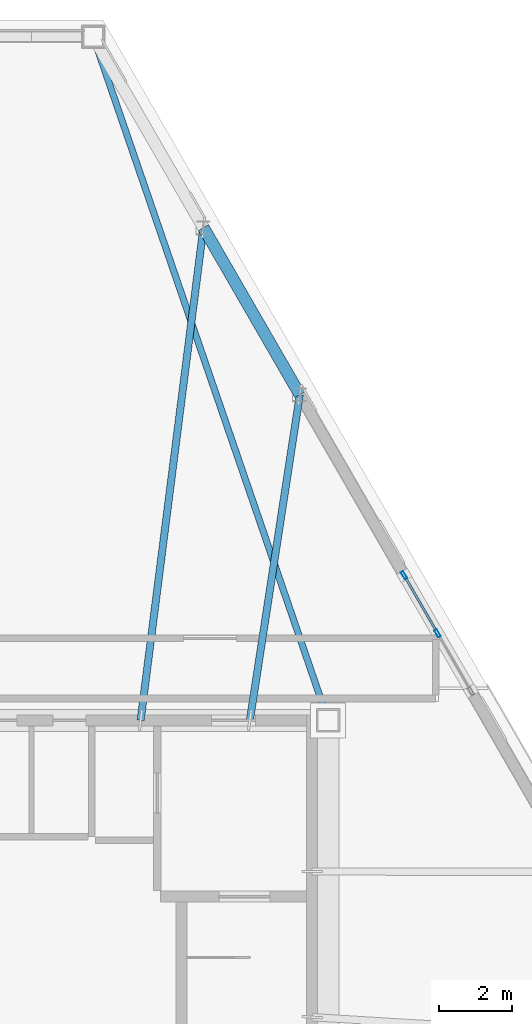
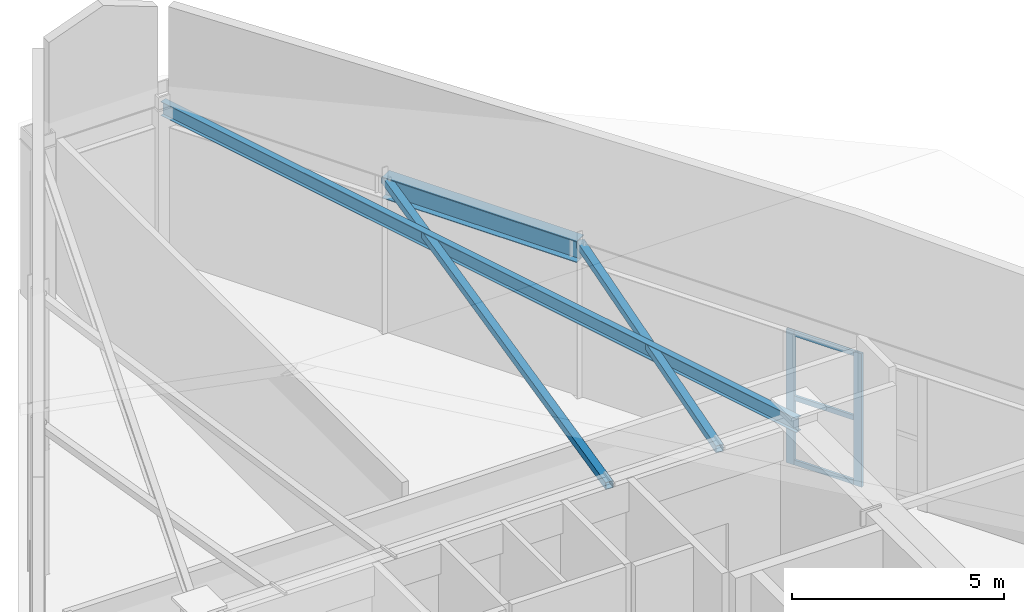
# One storey, part 6 of 11: 7 members, 2 beams, 1 element without a shape of its own.
"""IFC4 building model written with IfcOpenShell, lengths in metres."""

from ifc_helpers import new_model, si_unit, direction, frame, origin, origin_2d, place, context, subcontext, project, spatial, hollow_rectangle, i_section, extrude, material, layer, layer_set, material_profile, profile_set, type_object, element, aggregate, save


model = new_model("IFC4")

# Units and contexts
model_context = context("Model", 3, precision=1e-05, world=origin(), true_north=direction((0.0, 1.0)))
body_context = subcontext(model_context, "Body", "Model", "MODEL_VIEW")
ifc_project = project(units=[si_unit("LENGTHUNIT", "METRE"), si_unit("AREAUNIT", "SQUARE_METRE"), si_unit("VOLUMEUNIT", "CUBIC_METRE"), si_unit("PLANEANGLEUNIT", "RADIAN"), si_unit("MASSUNIT", "GRAM", prefix="KILO")], contexts=[model_context])

# Site, building, storey
site_placement = place(None, origin())
site = spatial("IfcSite", under=ifc_project, at=site_placement, CompositionType="ELEMENT")
building_placement = place(site_placement, origin())
building = spatial("IfcBuilding", under=site, at=building_placement, Name="Oramaril Tower", CompositionType="ELEMENT")
storey_placement = place(building_placement, frame((0.0, 0.0, 318.89990234375)))
storey = spatial("IfcBuildingStorey", under=building, at=storey_placement, Name="L83", CompositionType="ELEMENT", Elevation=318.89990234375)

# Beams
ifc_material_1 = material(Name="Steel ASTM A572 Gr 50", Category="steel")
ifc_material_profile_1 = material_profile(ifc_material_1, i_section(OverallWidth=0.177978515625, OverallDepth=0.404052734375, WebThickness=0.007568359375, FlangeThickness=0.010986328125, at=origin_2d()), Name="W16X36")
ifc_profile_set_1 = profile_set([ifc_material_profile_1], Name="Steel ASTM A572 Gr 50")
beam_type_1 = type_object("IfcBeamType", Name="BT-SB1", PredefinedType="BEAM", material=ifc_profile_set_1)
beam_1_placement = place(storey_placement, frame((45.64990234375, 24.14990234375, 4.258056640625), z_axis=(-0.325044703375, 0.945698652218, 0.0), x_axis=(-0.945698652218, -0.325044703375, 0.0)))
element("IfcBeam", 1, at=beam_1_placement, inside=storey, type_object=beam_type_1, Name="L83 Radial Primary Beam RB-05", PredefinedType="BEAM", context=body_context, shape_type="SweptSolid", body=[
    extrude(i_section(OverallWidth=0.177978515625, OverallDepth=0.404052734375, WebThickness=0.007568359375, FlangeThickness=0.010986328125, at=origin_2d()), origin(), (0.0, 0.0, 1.0), 19.847900390625),
])
ifc_material_2 = material(Name="Steel ASTM A572 Gr 50", Category="steel")
ifc_material_profile_2 = material_profile(ifc_material_2, i_section(OverallWidth=0.324951171875, OverallDepth=0.612060546875, WebThickness=0.0126953125, FlangeThickness=0.01904296875, at=origin_2d()), Name="W24X104")
ifc_profile_set_2 = profile_set([ifc_material_profile_2], Name="Steel ASTM A572 Gr 50")
beam_type_2 = type_object("IfcBeamType", Name="BT-SP5", PredefinedType="SPANDREL", material=ifc_profile_set_2)
beam_2_placement = place(storey_placement, frame((44.87255859375, 33.09228515625, 4.154052734375), z_axis=(-0.499996467947, 0.866027443007, 0.0), x_axis=(-0.866027443007, -0.499996467947, 0.0)))
element("IfcBeam", 2, at=beam_2_placement, inside=storey, type_object=beam_type_2, Name="L83 Perimeter Spandrel 11", PredefinedType="SPANDREL", context=body_context, shape_type="SweptSolid", body=[
    extrude(i_section(OverallWidth=0.324951171875, OverallDepth=0.612060546875, WebThickness=0.0126953125, FlangeThickness=0.01904296875, at=origin_2d()), origin(), (0.0, 0.0, 1.0), 5.2958984375),
])

# Curtain wall, members
ifc_material_3 = material(Name="Anodised Aluminium 6063-T6", Category="aluminium")
ifc_layer = layer(ifc_material_3, 0.219970703125)
ifc_layer_set = layer_set([ifc_layer], Name="CWT-SYS6")
curtain_wall_type = type_object("IfcCurtainWallType", Name="CWT-SYS6", PredefinedType="NOTDEFINED", material=ifc_layer_set)
curtain_wall_placement = place(storey_placement, origin())
curtain_wall = element("IfcCurtainWall", 3, at=curtain_wall_placement, inside=storey, type_object=curtain_wall_type, Name="L83 Unitised Curtain Wall CW-6", PredefinedType="NOTDEFINED")
ifc_material_4 = material(Name="Anodised Aluminium 6063-T6", Category="aluminium")
ifc_material_profile_3 = material_profile(ifc_material_4, hollow_rectangle(XDim=0.080078125, YDim=0.219970703125, WallThickness=0.00390625, at=origin_2d()), Name="CWM220X80")
ifc_profile_set_3 = profile_set([ifc_material_profile_3], Name="Anodised Aluminium 6063-T6")
member_type_1 = type_object("IfcMemberType", Name="MT-CWM1", PredefinedType="MULLION", material=ifc_profile_set_3)
member_1_placement = place(storey_placement, frame((48.6552734375, 26.54052734375, 0.0), z_axis=(0.0, 0.0, 1.0), x_axis=(-0.866025463091, -0.499999897278, 0.0)))
member_1 = element("IfcMember", 4, at=member_1_placement, type_object=member_type_1, Name="CW-6 mullion 2", PredefinedType="MULLION", context=body_context, shape_type="SweptSolid", body=[
    extrude(hollow_rectangle(XDim=0.080078125, YDim=0.219970703125, WallThickness=0.00390625, at=origin_2d()), origin(), (0.0, 0.0, 1.0), 3.838134765625),
])
member_2_placement = place(storey_placement, frame((47.735107421875, 28.134033203125, 0.0), z_axis=(0.0, 0.0, 1.0), x_axis=(-0.866025463091, -0.499999897278, 0.0)))
member_2 = element("IfcMember", 5, at=member_2_placement, type_object=member_type_1, Name="CW-6 mullion 3", PredefinedType="MULLION", context=body_context, shape_type="SweptSolid", body=[
    extrude(hollow_rectangle(XDim=0.080078125, YDim=0.219970703125, WallThickness=0.00390625, at=origin_2d()), origin(), (0.0, 0.0, 1.0), 3.838134765625),
])
ifc_material_5 = material(Name="Anodised Aluminium 6063-T6", Category="aluminium")
ifc_material_profile_4 = material_profile(ifc_material_5, hollow_rectangle(XDim=0.06494140625, YDim=0.139892578125, WallThickness=0.00390625, at=origin_2d()), Name="CWT140X65")
ifc_profile_set_4 = profile_set([ifc_material_profile_4], Name="Anodised Aluminium 6063-T6")
member_type_2 = type_object("IfcMemberType", Name="MT-CWT2", PredefinedType="USERDEFINED", material=ifc_profile_set_4)
member_3_placement = place(storey_placement, frame((48.60009765625, 26.6357421875, 0.070068359375), z_axis=(-0.499948604784, 0.866055074793, 0.0), x_axis=(-0.866055074793, -0.499948604784, 0.0)))
member_3 = element("IfcMember", 6, at=member_3_placement, type_object=member_type_2, Name="CW-6 transom 2.1", ObjectType="TRANSOM", PredefinedType="USERDEFINED", context=body_context, shape_type="SweptSolid", body=[
    extrude(hollow_rectangle(XDim=0.06494140625, YDim=0.139892578125, WallThickness=0.00390625, at=origin_2d()), origin(), (0.0, 0.0, 1.0), 1.619873046875),
])
member_4_placement = place(storey_placement, frame((48.60009765625, 26.6357421875, 1.919189453125), z_axis=(-0.499948604784, 0.866055074793, 0.0), x_axis=(-0.866055074793, -0.499948604784, 0.0)))
member_4 = element("IfcMember", 7, at=member_4_placement, type_object=member_type_2, Name="CW-6 transom 2.2", ObjectType="TRANSOM", PredefinedType="USERDEFINED", context=body_context, shape_type="SweptSolid", body=[
    extrude(hollow_rectangle(XDim=0.06494140625, YDim=0.139892578125, WallThickness=0.00390625, at=origin_2d()), origin(), (0.0, 0.0, 1.0), 1.619873046875),
])
member_5_placement = place(storey_placement, frame((48.60009765625, 26.6357421875, 3.76806640625), z_axis=(-0.499948604784, 0.866055074793, 0.0), x_axis=(-0.866055074793, -0.499948604784, 0.0)))
member_5 = element("IfcMember", 8, at=member_5_placement, type_object=member_type_2, Name="CW-6 transom 2.3", ObjectType="TRANSOM", PredefinedType="USERDEFINED", context=body_context, shape_type="SweptSolid", body=[
    extrude(hollow_rectangle(XDim=0.06494140625, YDim=0.139892578125, WallThickness=0.00390625, at=origin_2d()), origin(), (0.0, 0.0, 1.0), 1.619873046875),
])
aggregate(curtain_wall, [member_1, member_2, member_3, member_4, member_5])

# Members
ifc_material_6 = material(Name="Steel ASTM A572 Gr 50", Category="steel")
ifc_material_profile_5 = material_profile(ifc_material_6, hollow_rectangle(XDim=0.199951171875, YDim=0.199951171875, WallThickness=0.010009765625, at=origin_2d()), Name="HSS200X200X10")
ifc_profile_set_5 = profile_set([ifc_material_profile_5], Name="Steel ASTM A572 Gr 50")
member_type_3 = type_object("IfcMemberType", Name="MT-RF1", PredefinedType="RAFTER", material=ifc_profile_set_5)
member_6_placement = place(storey_placement, frame((44.87255859375, 33.09228515625, 4.31005859375), z_axis=(-0.151712447019, -0.988424672608, 0.0), x_axis=(0.988424672608, -0.151712447019, 0.0)))
element("IfcMember", 9, at=member_6_placement, inside=storey, type_object=member_type_3, Name="L83 Crown Roof Rafter RF-07", PredefinedType="RAFTER", context=body_context, shape_type="SweptSolid", body=[
    extrude(hollow_rectangle(XDim=0.199951171875, YDim=0.199951171875, WallThickness=0.010009765625, at=origin_2d()), origin(), (0.0, 0.0, 1.0), 9.047119140625),
])
member_7_placement = place(storey_placement, frame((42.224609375, 37.6787109375, 4.31005859375), z_axis=(-0.126453495487, -0.991972536656, 0.0), x_axis=(0.991972536656, -0.126453495487, 0.0)))
element("IfcMember", 10, at=member_7_placement, inside=storey, type_object=member_type_3, Name="L83 Crown Roof Rafter RF-08", PredefinedType="RAFTER", context=body_context, shape_type="SweptSolid", body=[
    extrude(hollow_rectangle(XDim=0.199951171875, YDim=0.199951171875, WallThickness=0.010009765625, at=origin_2d()), origin(), (0.0, 0.0, 1.0), 13.63818359375),
])

save(model, "model.ifc")
